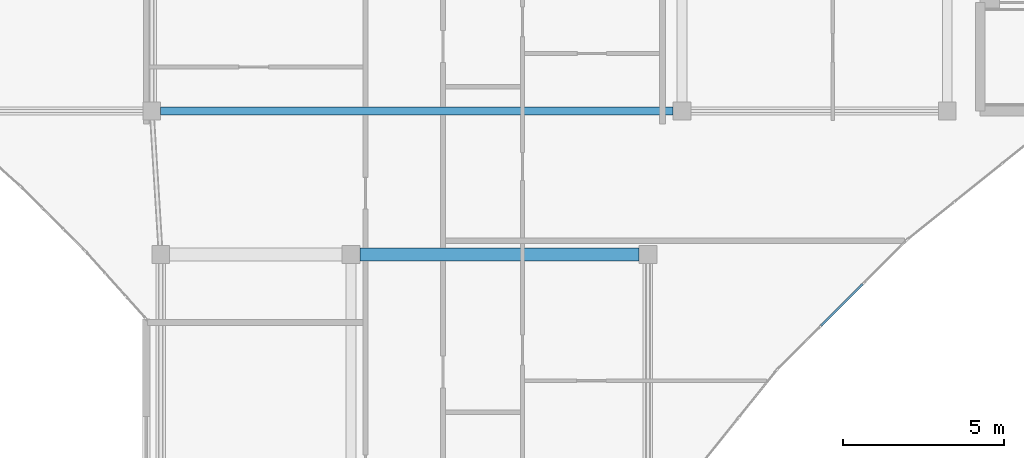
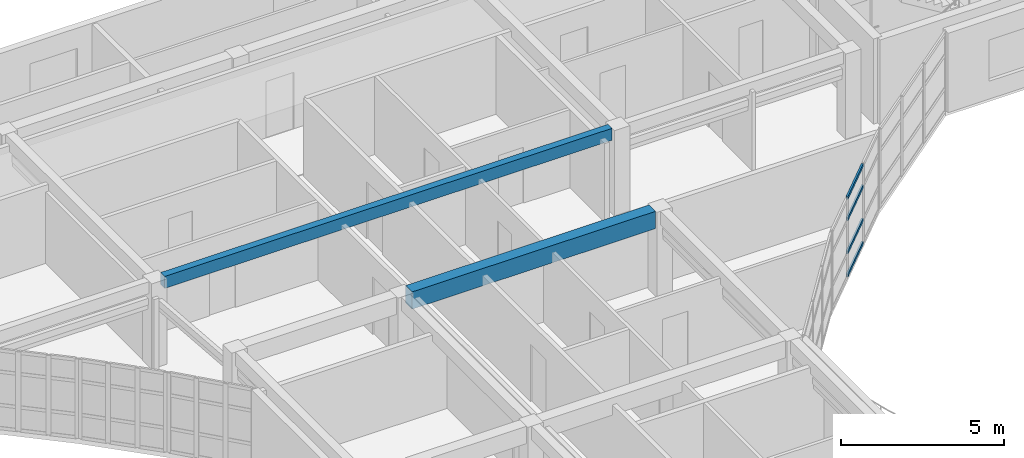
# One storey, part 7 of 54: 4 members, 2 beams, 1 element without a shape of its own.
"""IFC4 building model written with IfcOpenShell, lengths in metres."""

from ifc_helpers import new_model, si_unit, direction, frame, origin, origin_2d, place, context, subcontext, project, spatial, rectangle, hollow_rectangle, extrude, material, layer, layer_set, material_profile, profile_set, type_object, element, aggregate, save


model = new_model("IFC4")

# Units and contexts
model_context = context("Model", 3, precision=1e-05, world=origin(), true_north=direction((0.0, 1.0)))
body_context = subcontext(model_context, "Body", "Model", "MODEL_VIEW")
ifc_project = project(units=[si_unit("LENGTHUNIT", "METRE"), si_unit("AREAUNIT", "SQUARE_METRE"), si_unit("VOLUMEUNIT", "CUBIC_METRE"), si_unit("PLANEANGLEUNIT", "RADIAN"), si_unit("MASSUNIT", "GRAM", prefix="KILO")], contexts=[model_context])

# Site, building, storey
site_placement = place(None, origin())
site = spatial("IfcSite", under=ifc_project, at=site_placement, CompositionType="ELEMENT")
building_placement = place(site_placement, origin())
building = spatial("IfcBuilding", under=site, at=building_placement, Name="Keldmere Railside Commons", CompositionType="ELEMENT")
storey_placement = place(building_placement, frame((0.0, 0.0, 26.56005859375)))
storey = spatial("IfcBuildingStorey", under=building, at=storey_placement, Name="L08", CompositionType="ELEMENT", Elevation=26.56005859375)

# Beams
ifc_material_1 = material(Name="Architectural Precast Concrete H-35 (C35/45)", Category="concrete")
ifc_material_profile_1 = material_profile(ifc_material_1, rectangle(XDim=0.25, YDim=0.449951171875, at=origin_2d()), Name="RC-250x450")
ifc_profile_set_1 = profile_set([ifc_material_profile_1], Name="Architectural Precast Concrete H-35 (C35/45)")
beam_type_1 = type_object("IfcBeamType", Name="Perimeter Precast Spandrel Beam 250x450", PredefinedType="SPANDREL", material=ifc_profile_set_1)
beam_1_placement = place(storey_placement, frame((48.445068359375, 100.449951171875, 2.974853515625), z_axis=(1.0, 0.0, 0.0), x_axis=(0.0, 1.0, 0.0)))
element("IfcBeam", 1, at=beam_1_placement, inside=storey, type_object=beam_type_1, Name="SPB-1 BM-L08-2191", PredefinedType="SPANDREL", context=body_context, shape_type="SweptSolid", body=[
    extrude(rectangle(XDim=0.25, YDim=0.449951171875, at=origin_2d()), origin(), (0.0, 0.0, 1.0), 15.889892578125),
])
ifc_material_2 = material(Name="Concrete H-30 (C30/37)", Category="concrete")
ifc_material_profile_2 = material_profile(ifc_material_2, rectangle(XDim=0.39990234375, YDim=0.64990234375, at=origin_2d()), Name="RC-400x650")
ifc_profile_set_2 = profile_set([ifc_material_profile_2], Name="Concrete H-30 (C30/37)")
beam_type_2 = type_object("IfcBeamType", Name="Residential Spine RC Girder 400x650", PredefinedType="BEAM", material=ifc_profile_set_2)
beam_2_placement = place(storey_placement, frame((54.625, 96.0, 2.875), z_axis=(1.0, 0.0, 0.0), x_axis=(0.0, 1.0, 0.0)))
element("IfcBeam", 2, at=beam_2_placement, inside=storey, type_object=beam_type_2, Name="BG-3 BM-L08-2185", PredefinedType="BEAM", context=body_context, shape_type="SweptSolid", body=[
    extrude(rectangle(XDim=0.39990234375, YDim=0.64990234375, at=origin_2d()), origin(), (0.0, 0.0, 1.0), 8.64990234375),
])

# Curtain wall, members
ifc_material_3 = material(Name="Thermally Broken Aluminium", Category="aluminium")
ifc_layer = layer(ifc_material_3, 0.159912109375, Name="Court Chord Wintergarden CW 5400x2850")
ifc_layer_set = layer_set([ifc_layer], Name="Thermally Broken Aluminium")
curtain_wall_type = type_object("IfcCurtainWallType", Name="Court Chord Wintergarden CW 5400x2850", PredefinedType="NOTDEFINED", material=ifc_layer_set)
curtain_wall_placement = place(storey_placement, origin())
curtain_wall = element("IfcCurtainWall", 3, at=curtain_wall_placement, inside=storey, type_object=curtain_wall_type, Name="CW-13 CW-L08-074", PredefinedType="NOTDEFINED")
ifc_material_profile_3 = material_profile(ifc_material_3, hollow_rectangle(XDim=0.06494140625, YDim=0.1201171875, WallThickness=0.00390625, at=origin_2d()), Name="ALU-TRAN-65x120")
ifc_profile_set_3 = profile_set([ifc_material_profile_3], Name="Thermally Broken Aluminium")
member_type = type_object("IfcMemberType", Name="Unitised Curtain Wall Transom 65x120", PredefinedType="USERDEFINED", material=ifc_profile_set_3)
member_1_placement = place(storey_placement, frame((70.208251953125, 95.08447265625, 0.032470703125), z_axis=(-0.707106781187, -0.707106781187, 0.0), x_axis=(0.707106781187, -0.707106781187, 0.0)))
member_1 = element("IfcMember", 4, at=member_1_placement, type_object=member_type, Name="CW-13 transom 2.1", ObjectType="TRANSOM", PredefinedType="USERDEFINED", context=body_context, shape_type="SweptSolid", body=[
    extrude(hollow_rectangle(XDim=0.06494140625, YDim=0.1201171875, WallThickness=0.00390625, at=origin_2d()), origin(), (0.0, 0.0, 1.0), 1.828125),
])
member_2_placement = place(storey_placement, frame((70.208251953125, 95.08447265625, 0.89990234375), z_axis=(-0.707106781187, -0.707106781187, 0.0), x_axis=(0.707106781187, -0.707106781187, 0.0)))
member_2 = element("IfcMember", 5, at=member_2_placement, type_object=member_type, Name="CW-13 transom 2.2", ObjectType="TRANSOM", PredefinedType="USERDEFINED", context=body_context, shape_type="SweptSolid", body=[
    extrude(hollow_rectangle(XDim=0.06494140625, YDim=0.1201171875, WallThickness=0.00390625, at=origin_2d()), origin(), (0.0, 0.0, 1.0), 1.828125),
])
member_3_placement = place(storey_placement, frame((70.208251953125, 95.08447265625, 2.14990234375), z_axis=(-0.707106781187, -0.707106781187, 0.0), x_axis=(0.707106781187, -0.707106781187, 0.0)))
member_3 = element("IfcMember", 6, at=member_3_placement, type_object=member_type, Name="CW-13 transom 2.3", ObjectType="TRANSOM", PredefinedType="USERDEFINED", context=body_context, shape_type="SweptSolid", body=[
    extrude(hollow_rectangle(XDim=0.06494140625, YDim=0.1201171875, WallThickness=0.00390625, at=origin_2d()), origin(), (0.0, 0.0, 1.0), 1.828125),
])
member_4_placement = place(storey_placement, frame((70.208251953125, 95.08447265625, 2.947509765625), z_axis=(-0.707106781187, -0.707106781187, 0.0), x_axis=(0.707106781187, -0.707106781187, 0.0)))
member_4 = element("IfcMember", 7, at=member_4_placement, type_object=member_type, Name="CW-13 transom 2.4", ObjectType="TRANSOM", PredefinedType="USERDEFINED", context=body_context, shape_type="SweptSolid", body=[
    extrude(hollow_rectangle(XDim=0.06494140625, YDim=0.1201171875, WallThickness=0.00390625, at=origin_2d()), origin(), (0.0, 0.0, 1.0), 1.828125),
])
aggregate(curtain_wall, [member_1, member_2, member_3, member_4])

save(model, "model.ifc")
